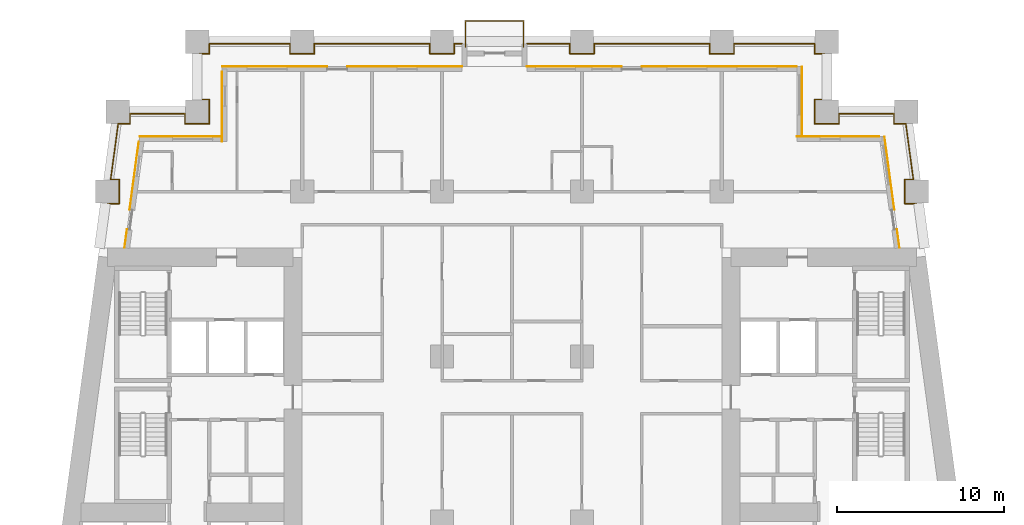
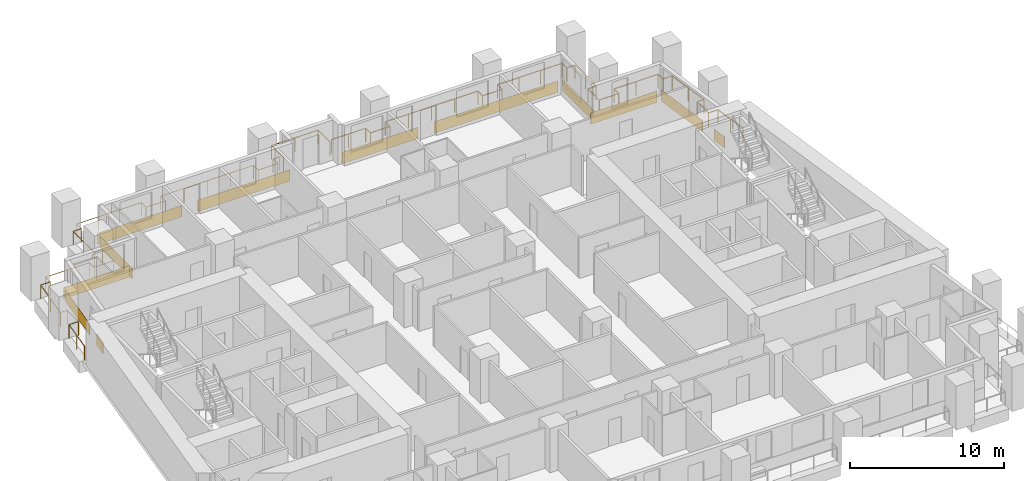
# One storey, part 12 of 13: 12 coverings, 3 railings.
"""IFC4 building model written with IfcOpenShell, lengths in metres."""

from ifc_helpers import new_model, si_unit, direction, frame, origin, origin_2d, place, context, subcontext, project, spatial, rectangle, circle, extrude, material, layer, layer_set, type_object, element, save


model = new_model("IFC4")

# Units and contexts
model_context = context("Model", 3, precision=1e-05, world=origin(), true_north=direction((0.0, 1.0)))
body_context = subcontext(model_context, "Body", "Model", "MODEL_VIEW")
ifc_project = project(units=[si_unit("LENGTHUNIT", "METRE"), si_unit("AREAUNIT", "SQUARE_METRE"), si_unit("VOLUMEUNIT", "CUBIC_METRE"), si_unit("PLANEANGLEUNIT", "RADIAN"), si_unit("MASSUNIT", "GRAM", prefix="KILO")], contexts=[model_context])

# Site, building, storey
site_placement = place(None, origin())
site = spatial("IfcSite", under=ifc_project, at=site_placement, CompositionType="ELEMENT")
building_placement = place(site_placement, origin())
building = spatial("IfcBuilding", under=site, at=building_placement, Name="Candeia Pilgrim Tower and Theatre", CompositionType="ELEMENT")
storey_placement = place(building_placement, frame((0.0, 0.0, 60.0)))
storey = spatial("IfcBuildingStorey", under=building, at=storey_placement, Name="L12", CompositionType="ELEMENT", Elevation=60.0)

# Railings
ifc_material_1 = material(Name="Stainless steel balustrade", Category="steel")
railing_type = type_object("IfcRailingType", Name="G1 loggia guard 1100", PredefinedType="GUARDRAIL", material=ifc_material_1)
railing_1_placement = place(storey_placement, frame((88.758544921875, 132.449951171875, 0.0)))
element("IfcRailing", 1, at=railing_1_placement, inside=storey, type_object=railing_type, Name="Guard L12.2", PredefinedType="GUARDRAIL", context=body_context, shape_type="SweptSolid", body=[
    extrude(circle(Radius=0.02392578125, at=origin_2d()), frame((0.0, 0.0, 1.076171875), z_axis=(0.133439920495, 0.991056904329, 0.0), x_axis=(-0.991056904329, 0.133439920495, 0.0)), (0.0, 0.0, 1.0), 2.643798828125),
    extrude(circle(Radius=0.02392578125, at=origin_2d()), frame((0.352783203125, 2.6201171875, 1.076171875), z_axis=(1.0, 0.0, 0.0), x_axis=(0.0, 1.0, 0.0)), (0.0, 0.0, 1.0), 0.70703125),
    extrude(circle(Radius=0.02392578125, at=origin_2d()), frame((1.059814453125, 2.6201171875, 1.076171875), z_axis=(0.0, 1.0, 0.0), x_axis=(-1.0, 0.0, 0.0)), (0.0, 0.0, 1.0), 1.4599609375),
    extrude(circle(Radius=0.02392578125, at=origin_2d()), frame((1.059814453125, 4.080078125, 1.076171875), z_axis=(-1.0, 0.0, 0.0), x_axis=(0.0, -1.0, 0.0)), (0.0, 0.0, 1.0), 0.510498046875),
    extrude(circle(Radius=0.02392578125, at=origin_2d()), frame((0.54931640625, 4.080078125, 1.076171875), z_axis=(0.133364121373, 0.991067107279, 0.0), x_axis=(-0.991067107279, 0.133364121373, 0.0)), (0.0, 0.0, 1.0), 3.3701171875),
    extrude(circle(Radius=0.02392578125, at=origin_2d()), frame((0.998779296875, 7.420166015625, 1.076171875), z_axis=(1.0, 0.0, 0.0), x_axis=(0.0, 1.0, 0.0)), (0.0, 0.0, 1.0), 0.707275390625),
    extrude(circle(Radius=0.02392578125, at=origin_2d()), frame((1.7060546875, 7.420166015625, 1.076171875), z_axis=(0.0, 1.0, 0.0), x_axis=(-1.0, 0.0, 0.0)), (0.0, 0.0, 1.0), 0.60986328125),
    extrude(circle(Radius=0.02392578125, at=origin_2d()), frame((1.7060546875, 8.030029296875, 1.076171875), z_axis=(1.0, 0.0, 0.0), x_axis=(0.0, 1.0, 0.0)), (0.0, 0.0, 1.0), 3.305419921875),
    extrude(circle(Radius=0.02392578125, at=origin_2d()), frame((5.011474609375, 8.030029296875, 1.076171875), z_axis=(0.0, -1.0, 0.0), x_axis=(1.0, 0.0, 0.0)), (0.0, 0.0, 1.0), 0.60986328125),
    extrude(circle(Radius=0.02392578125, at=origin_2d()), frame((5.011474609375, 7.420166015625, 1.076171875), z_axis=(1.0, 0.0, 0.0), x_axis=(0.0, 1.0, 0.0)), (0.0, 0.0, 1.0), 1.4599609375),
    extrude(circle(Radius=0.02392578125, at=origin_2d()), frame((6.471435546875, 7.420166015625, 1.076171875), z_axis=(0.0, 1.0, 0.0), x_axis=(-1.0, 0.0, 0.0)), (0.0, 0.0, 1.0), 1.4599609375),
    extrude(circle(Radius=0.02392578125, at=origin_2d()), frame((6.471435546875, 8.880126953125, 1.076171875), z_axis=(-1.0, 0.0, 0.0), x_axis=(0.0, -1.0, 0.0)), (0.0, 0.0, 1.0), 0.60986328125),
    extrude(circle(Radius=0.02392578125, at=origin_2d()), frame((5.861572265625, 8.880126953125, 1.076171875), z_axis=(0.0, 1.0, 0.0), x_axis=(-1.0, 0.0, 0.0)), (0.0, 0.0, 1.0), 2.739990234375),
    extrude(circle(Radius=0.02392578125, at=origin_2d()), frame((5.861572265625, 11.6201171875, 1.076171875), z_axis=(1.0, 0.0, 0.0), x_axis=(0.0, 1.0, 0.0)), (0.0, 0.0, 1.0), 0.60986328125),
    extrude(circle(Radius=0.02392578125, at=origin_2d()), frame((6.471435546875, 11.6201171875, 1.076171875), z_axis=(0.0, 1.0, 0.0), x_axis=(-1.0, 0.0, 0.0)), (0.0, 0.0, 1.0), 0.60986328125),
    extrude(circle(Radius=0.02392578125, at=origin_2d()), frame((6.471435546875, 12.22998046875, 1.076171875), z_axis=(1.0, 0.0, 0.0), x_axis=(0.0, 1.0, 0.0)), (0.0, 0.0, 1.0), 4.840087890625),
    extrude(circle(Radius=0.02392578125, at=origin_2d()), frame((11.3115234375, 12.22998046875, 1.076171875), z_axis=(0.0, -1.0, 0.0), x_axis=(1.0, 0.0, 0.0)), (0.0, 0.0, 1.0), 0.60986328125),
    extrude(circle(Radius=0.02392578125, at=origin_2d()), frame((11.3115234375, 11.6201171875, 1.076171875), z_axis=(1.0, 0.0, 0.0), x_axis=(0.0, 1.0, 0.0)), (0.0, 0.0, 1.0), 1.4599609375),
    extrude(circle(Radius=0.02392578125, at=origin_2d()), frame((12.771484375, 11.6201171875, 1.076171875), z_axis=(0.0, 1.0, 0.0), x_axis=(-1.0, 0.0, 0.0)), (0.0, 0.0, 1.0), 0.60986328125),
    extrude(circle(Radius=0.02392578125, at=origin_2d()), frame((12.771484375, 12.22998046875, 1.076171875), z_axis=(1.0, 0.0, 0.0), x_axis=(0.0, 1.0, 0.0)), (0.0, 0.0, 1.0), 6.93994140625),
    extrude(circle(Radius=0.02392578125, at=origin_2d()), frame((19.71142578125, 12.22998046875, 1.076171875), z_axis=(0.0, -1.0, 0.0), x_axis=(1.0, 0.0, 0.0)), (0.0, 0.0, 1.0), 0.60986328125),
    extrude(circle(Radius=0.02392578125, at=origin_2d()), frame((19.71142578125, 11.6201171875, 1.076171875), z_axis=(1.0, 0.0, 0.0), x_axis=(0.0, 1.0, 0.0)), (0.0, 0.0, 1.0), 1.4599609375),
    extrude(circle(Radius=0.02392578125, at=origin_2d()), frame((21.17138671875, 11.6201171875, 1.076171875), z_axis=(0.0, 1.0, 0.0), x_axis=(-1.0, 0.0, 0.0)), (0.0, 0.0, 1.0), 0.60986328125),
    extrude(circle(Radius=0.02392578125, at=origin_2d()), frame((21.17138671875, 12.22998046875, 1.076171875), z_axis=(1.0, 0.0, 0.0), x_axis=(0.0, 1.0, 0.0)), (0.0, 0.0, 1.0), 0.469970703125),
    extrude(circle(Radius=0.02099609375, at=origin_2d()), origin(), (0.0, 0.0, 1.0), 1.052001953125),
    extrude(circle(Radius=0.02099609375, at=origin_2d()), frame((0.17626953125, 1.31005859375, 0.0)), (0.0, 0.0, 1.0), 1.052001953125),
    extrude(circle(Radius=0.02099609375, at=origin_2d()), frame((0.352783203125, 2.6201171875, 0.0)), (0.0, 0.0, 1.0), 1.052001953125),
    extrude(circle(Radius=0.02099609375, at=origin_2d()), frame((1.059814453125, 2.6201171875, 0.0)), (0.0, 0.0, 1.0), 1.052001953125),
    extrude(circle(Radius=0.02099609375, at=origin_2d()), frame((1.059814453125, 4.080078125, 0.0)), (0.0, 0.0, 1.0), 1.052001953125),
    extrude(circle(Radius=0.02099609375, at=origin_2d()), frame((0.54931640625, 4.080078125, 0.0)), (0.0, 0.0, 1.0), 1.052001953125),
    extrude(circle(Radius=0.02099609375, at=origin_2d()), frame((0.77392578125, 5.75, 0.0)), (0.0, 0.0, 1.0), 1.052001953125),
    extrude(circle(Radius=0.02099609375, at=origin_2d()), frame((0.998779296875, 7.420166015625, 0.0)), (0.0, 0.0, 1.0), 1.052001953125),
    extrude(circle(Radius=0.02099609375, at=origin_2d()), frame((1.7060546875, 7.420166015625, 0.0)), (0.0, 0.0, 1.0), 1.052001953125),
    extrude(circle(Radius=0.02099609375, at=origin_2d()), frame((1.7060546875, 8.030029296875, 0.0)), (0.0, 0.0, 1.0), 1.052001953125),
    extrude(circle(Radius=0.02099609375, at=origin_2d()), frame((3.35888671875, 8.030029296875, 0.0)), (0.0, 0.0, 1.0), 1.052001953125),
    extrude(circle(Radius=0.02099609375, at=origin_2d()), frame((5.011474609375, 8.030029296875, 0.0)), (0.0, 0.0, 1.0), 1.052001953125),
    extrude(circle(Radius=0.02099609375, at=origin_2d()), frame((5.011474609375, 7.420166015625, 0.0)), (0.0, 0.0, 1.0), 1.052001953125),
    extrude(circle(Radius=0.02099609375, at=origin_2d()), frame((6.471435546875, 7.420166015625, 0.0)), (0.0, 0.0, 1.0), 1.052001953125),
    extrude(circle(Radius=0.02099609375, at=origin_2d()), frame((6.471435546875, 8.880126953125, 0.0)), (0.0, 0.0, 1.0), 1.052001953125),
    extrude(circle(Radius=0.02099609375, at=origin_2d()), frame((5.861572265625, 8.880126953125, 0.0)), (0.0, 0.0, 1.0), 1.052001953125),
    extrude(circle(Radius=0.02099609375, at=origin_2d()), frame((5.861572265625, 10.25, 0.0)), (0.0, 0.0, 1.0), 1.052001953125),
    extrude(circle(Radius=0.02099609375, at=origin_2d()), frame((5.861572265625, 11.6201171875, 0.0)), (0.0, 0.0, 1.0), 1.052001953125),
    extrude(circle(Radius=0.02099609375, at=origin_2d()), frame((6.471435546875, 11.6201171875, 0.0)), (0.0, 0.0, 1.0), 1.052001953125),
    extrude(circle(Radius=0.02099609375, at=origin_2d()), frame((6.471435546875, 12.22998046875, 0.0)), (0.0, 0.0, 1.0), 1.052001953125),
    extrude(circle(Radius=0.02099609375, at=origin_2d()), frame((8.084716796875, 12.22998046875, 0.0)), (0.0, 0.0, 1.0), 1.052001953125),
    extrude(circle(Radius=0.02099609375, at=origin_2d()), frame((9.6982421875, 12.22998046875, 0.0)), (0.0, 0.0, 1.0), 1.052001953125),
    extrude(circle(Radius=0.02099609375, at=origin_2d()), frame((11.3115234375, 12.22998046875, 0.0)), (0.0, 0.0, 1.0), 1.052001953125),
    extrude(circle(Radius=0.02099609375, at=origin_2d()), frame((11.3115234375, 11.6201171875, 0.0)), (0.0, 0.0, 1.0), 1.052001953125),
    extrude(circle(Radius=0.02099609375, at=origin_2d()), frame((12.771484375, 11.6201171875, 0.0)), (0.0, 0.0, 1.0), 1.052001953125),
    extrude(circle(Radius=0.02099609375, at=origin_2d()), frame((12.771484375, 12.22998046875, 0.0)), (0.0, 0.0, 1.0), 1.052001953125),
    extrude(circle(Radius=0.02099609375, at=origin_2d()), frame((14.50634765625, 12.22998046875, 0.0)), (0.0, 0.0, 1.0), 1.052001953125),
    extrude(circle(Radius=0.02099609375, at=origin_2d()), frame((16.241455078125, 12.22998046875, 0.0)), (0.0, 0.0, 1.0), 1.052001953125),
    extrude(circle(Radius=0.02099609375, at=origin_2d()), frame((17.9765625, 12.22998046875, 0.0)), (0.0, 0.0, 1.0), 1.052001953125),
    extrude(circle(Radius=0.02099609375, at=origin_2d()), frame((19.71142578125, 12.22998046875, 0.0)), (0.0, 0.0, 1.0), 1.052001953125),
    extrude(circle(Radius=0.02099609375, at=origin_2d()), frame((19.71142578125, 11.6201171875, 0.0)), (0.0, 0.0, 1.0), 1.052001953125),
    extrude(circle(Radius=0.02099609375, at=origin_2d()), frame((21.17138671875, 11.6201171875, 0.0)), (0.0, 0.0, 1.0), 1.052001953125),
    extrude(circle(Radius=0.02099609375, at=origin_2d()), frame((21.17138671875, 12.22998046875, 0.0)), (0.0, 0.0, 1.0), 1.052001953125),
    extrude(circle(Radius=0.02099609375, at=origin_2d()), frame((21.641357421875, 12.22998046875, 0.0)), (0.0, 0.0, 1.0), 1.052001953125),
])
railing_2_placement = place(storey_placement, frame((114.300048828125, 144.679931640625, 0.0)))
element("IfcRailing", 2, at=railing_2_placement, inside=storey, type_object=railing_type, Name="Guard L12.3", PredefinedType="GUARDRAIL", context=body_context, shape_type="SweptSolid", body=[
    extrude(circle(Radius=0.02392578125, at=origin_2d()), frame((0.0, 0.0, 1.076171875), z_axis=(1.0, 0.0, 0.0), x_axis=(0.0, 1.0, 0.0)), (0.0, 0.0, 1.0), 2.570068359375),
    extrude(circle(Radius=0.02392578125, at=origin_2d()), frame((2.570068359375, 0.0, 1.076171875), z_axis=(0.0, -1.0, 0.0), x_axis=(1.0, 0.0, 0.0)), (0.0, 0.0, 1.0), 0.60986328125),
    extrude(circle(Radius=0.02392578125, at=origin_2d()), frame((2.570068359375, -0.60986328125, 1.076171875), z_axis=(1.0, 0.0, 0.0), x_axis=(0.0, 1.0, 0.0)), (0.0, 0.0, 1.0), 1.4599609375),
    extrude(circle(Radius=0.02392578125, at=origin_2d()), frame((4.030029296875, -0.60986328125, 1.076171875), z_axis=(0.0, 1.0, 0.0), x_axis=(-1.0, 0.0, 0.0)), (0.0, 0.0, 1.0), 0.60986328125),
    extrude(circle(Radius=0.02392578125, at=origin_2d()), frame((4.030029296875, 0.0, 1.076171875), z_axis=(1.0, 0.0, 0.0), x_axis=(0.0, 1.0, 0.0)), (0.0, 0.0, 1.0), 6.93994140625),
    extrude(circle(Radius=0.02392578125, at=origin_2d()), frame((10.969970703125, 0.0, 1.076171875), z_axis=(0.0, -1.0, 0.0), x_axis=(1.0, 0.0, 0.0)), (0.0, 0.0, 1.0), 0.60986328125),
    extrude(circle(Radius=0.02392578125, at=origin_2d()), frame((10.969970703125, -0.60986328125, 1.076171875), z_axis=(1.0, 0.0, 0.0), x_axis=(0.0, 1.0, 0.0)), (0.0, 0.0, 1.0), 1.4599609375),
    extrude(circle(Radius=0.02392578125, at=origin_2d()), frame((12.429931640625, -0.60986328125, 1.076171875), z_axis=(0.0, 1.0, 0.0), x_axis=(-1.0, 0.0, 0.0)), (0.0, 0.0, 1.0), 0.60986328125),
    extrude(circle(Radius=0.02392578125, at=origin_2d()), frame((12.429931640625, 0.0, 1.076171875), z_axis=(1.0, 0.0, 0.0), x_axis=(0.0, 1.0, 0.0)), (0.0, 0.0, 1.0), 4.840087890625),
    extrude(circle(Radius=0.02392578125, at=origin_2d()), frame((17.27001953125, 0.0, 1.076171875), z_axis=(0.0, -1.0, 0.0), x_axis=(1.0, 0.0, 0.0)), (0.0, 0.0, 1.0), 0.60986328125),
    extrude(circle(Radius=0.02392578125, at=origin_2d()), frame((17.27001953125, -0.60986328125, 1.076171875), z_axis=(1.0, 0.0, 0.0), x_axis=(0.0, 1.0, 0.0)), (0.0, 0.0, 1.0), 0.60986328125),
    extrude(circle(Radius=0.02392578125, at=origin_2d()), frame((17.8798828125, -0.60986328125, 1.076171875), z_axis=(0.0, -1.0, 0.0), x_axis=(1.0, 0.0, 0.0)), (0.0, 0.0, 1.0), 2.739990234375),
    extrude(circle(Radius=0.02392578125, at=origin_2d()), frame((17.8798828125, -3.349853515625, 1.076171875), z_axis=(-1.0, 0.0, 0.0), x_axis=(0.0, -1.0, 0.0)), (0.0, 0.0, 1.0), 0.60986328125),
    extrude(circle(Radius=0.02392578125, at=origin_2d()), frame((17.27001953125, -3.349853515625, 1.076171875), z_axis=(0.0, -1.0, 0.0), x_axis=(1.0, 0.0, 0.0)), (0.0, 0.0, 1.0), 1.4599609375),
    extrude(circle(Radius=0.02392578125, at=origin_2d()), frame((17.27001953125, -4.809814453125, 1.076171875), z_axis=(1.0, 0.0, 0.0), x_axis=(0.0, 1.0, 0.0)), (0.0, 0.0, 1.0), 1.4599609375),
    extrude(circle(Radius=0.02392578125, at=origin_2d()), frame((18.72998046875, -4.809814453125, 1.076171875), z_axis=(0.0, 1.0, 0.0), x_axis=(-1.0, 0.0, 0.0)), (0.0, 0.0, 1.0), 0.60986328125),
    extrude(circle(Radius=0.02392578125, at=origin_2d()), frame((18.72998046875, -4.199951171875, 1.076171875), z_axis=(1.0, 0.0, 0.0), x_axis=(0.0, 1.0, 0.0)), (0.0, 0.0, 1.0), 3.305419921875),
    extrude(circle(Radius=0.02392578125, at=origin_2d()), frame((22.035400390625, -4.199951171875, 1.076171875), z_axis=(0.0, -1.0, 0.0), x_axis=(1.0, 0.0, 0.0)), (0.0, 0.0, 1.0), 0.60986328125),
    extrude(circle(Radius=0.02392578125, at=origin_2d()), frame((22.035400390625, -4.809814453125, 1.076171875), z_axis=(1.0, 0.0, 0.0), x_axis=(0.0, 1.0, 0.0)), (0.0, 0.0, 1.0), 0.70703125),
    extrude(circle(Radius=0.02392578125, at=origin_2d()), frame((22.742431640625, -4.809814453125, 1.076171875), z_axis=(0.133435273035, -0.991057530071, 0.0), x_axis=(0.991057530071, 0.133435273035, 0.0)), (0.0, 0.0, 1.0), 3.3701171875),
    extrude(circle(Radius=0.02392578125, at=origin_2d()), frame((23.192138671875, -8.14990234375, 1.076171875), z_axis=(-1.0, 0.0, 0.0), x_axis=(0.0, -1.0, 0.0)), (0.0, 0.0, 1.0), 0.5107421875),
    extrude(circle(Radius=0.02392578125, at=origin_2d()), frame((22.681396484375, -8.14990234375, 1.076171875), z_axis=(0.0, -1.0, 0.0), x_axis=(1.0, 0.0, 0.0)), (0.0, 0.0, 1.0), 1.4599609375),
    extrude(circle(Radius=0.02392578125, at=origin_2d()), frame((22.681396484375, -9.60986328125, 1.076171875), z_axis=(1.0, 0.0, 0.0), x_axis=(0.0, 1.0, 0.0)), (0.0, 0.0, 1.0), 0.707275390625),
    extrude(circle(Radius=0.02392578125, at=origin_2d()), frame((23.388671875, -9.60986328125, 1.076171875), z_axis=(0.133439920495, -0.991056904329, 0.0), x_axis=(0.991056904329, 0.133439920495, 0.0)), (0.0, 0.0, 1.0), 2.643798828125),
    extrude(circle(Radius=0.02099609375, at=origin_2d()), origin(), (0.0, 0.0, 1.0), 1.052001953125),
    extrude(circle(Radius=0.02099609375, at=origin_2d()), frame((1.28515625, 0.0, 0.0)), (0.0, 0.0, 1.0), 1.052001953125),
    extrude(circle(Radius=0.02099609375, at=origin_2d()), frame((2.570068359375, 0.0, 0.0)), (0.0, 0.0, 1.0), 1.052001953125),
    extrude(circle(Radius=0.02099609375, at=origin_2d()), frame((2.570068359375, -0.60986328125, 0.0)), (0.0, 0.0, 1.0), 1.052001953125),
    extrude(circle(Radius=0.02099609375, at=origin_2d()), frame((4.030029296875, -0.60986328125, 0.0)), (0.0, 0.0, 1.0), 1.052001953125),
    extrude(circle(Radius=0.02099609375, at=origin_2d()), frame((4.030029296875, 0.0, 0.0)), (0.0, 0.0, 1.0), 1.052001953125),
    extrude(circle(Radius=0.02099609375, at=origin_2d()), frame((5.76513671875, 0.0, 0.0)), (0.0, 0.0, 1.0), 1.052001953125),
    extrude(circle(Radius=0.02099609375, at=origin_2d()), frame((7.5, 0.0, 0.0)), (0.0, 0.0, 1.0), 1.052001953125),
    extrude(circle(Radius=0.02099609375, at=origin_2d()), frame((9.23486328125, 0.0, 0.0)), (0.0, 0.0, 1.0), 1.052001953125),
    extrude(circle(Radius=0.02099609375, at=origin_2d()), frame((10.969970703125, 0.0, 0.0)), (0.0, 0.0, 1.0), 1.052001953125),
    extrude(circle(Radius=0.02099609375, at=origin_2d()), frame((10.969970703125, -0.60986328125, 0.0)), (0.0, 0.0, 1.0), 1.052001953125),
    extrude(circle(Radius=0.02099609375, at=origin_2d()), frame((12.429931640625, -0.60986328125, 0.0)), (0.0, 0.0, 1.0), 1.052001953125),
    extrude(circle(Radius=0.02099609375, at=origin_2d()), frame((12.429931640625, 0.0, 0.0)), (0.0, 0.0, 1.0), 1.052001953125),
    extrude(circle(Radius=0.02099609375, at=origin_2d()), frame((14.043212890625, 0.0, 0.0)), (0.0, 0.0, 1.0), 1.052001953125),
    extrude(circle(Radius=0.02099609375, at=origin_2d()), frame((15.65673828125, 0.0, 0.0)), (0.0, 0.0, 1.0), 1.052001953125),
    extrude(circle(Radius=0.02099609375, at=origin_2d()), frame((17.27001953125, 0.0, 0.0)), (0.0, 0.0, 1.0), 1.052001953125),
    extrude(circle(Radius=0.02099609375, at=origin_2d()), frame((17.27001953125, -0.60986328125, 0.0)), (0.0, 0.0, 1.0), 1.052001953125),
    extrude(circle(Radius=0.02099609375, at=origin_2d()), frame((17.8798828125, -0.60986328125, 0.0)), (0.0, 0.0, 1.0), 1.052001953125),
    extrude(circle(Radius=0.02099609375, at=origin_2d()), frame((17.8798828125, -1.97998046875, 0.0)), (0.0, 0.0, 1.0), 1.052001953125),
    extrude(circle(Radius=0.02099609375, at=origin_2d()), frame((17.8798828125, -3.349853515625, 0.0)), (0.0, 0.0, 1.0), 1.052001953125),
    extrude(circle(Radius=0.02099609375, at=origin_2d()), frame((17.27001953125, -3.349853515625, 0.0)), (0.0, 0.0, 1.0), 1.052001953125),
    extrude(circle(Radius=0.02099609375, at=origin_2d()), frame((17.27001953125, -4.809814453125, 0.0)), (0.0, 0.0, 1.0), 1.052001953125),
    extrude(circle(Radius=0.02099609375, at=origin_2d()), frame((18.72998046875, -4.809814453125, 0.0)), (0.0, 0.0, 1.0), 1.052001953125),
    extrude(circle(Radius=0.02099609375, at=origin_2d()), frame((18.72998046875, -4.199951171875, 0.0)), (0.0, 0.0, 1.0), 1.052001953125),
    extrude(circle(Radius=0.02099609375, at=origin_2d()), frame((20.3828125, -4.199951171875, 0.0)), (0.0, 0.0, 1.0), 1.052001953125),
    extrude(circle(Radius=0.02099609375, at=origin_2d()), frame((22.035400390625, -4.199951171875, 0.0)), (0.0, 0.0, 1.0), 1.052001953125),
    extrude(circle(Radius=0.02099609375, at=origin_2d()), frame((22.035400390625, -4.809814453125, 0.0)), (0.0, 0.0, 1.0), 1.052001953125),
    extrude(circle(Radius=0.02099609375, at=origin_2d()), frame((22.742431640625, -4.809814453125, 0.0)), (0.0, 0.0, 1.0), 1.052001953125),
    extrude(circle(Radius=0.02099609375, at=origin_2d()), frame((22.96728515625, -6.47998046875, 0.0)), (0.0, 0.0, 1.0), 1.052001953125),
    extrude(circle(Radius=0.02099609375, at=origin_2d()), frame((23.192138671875, -8.14990234375, 0.0)), (0.0, 0.0, 1.0), 1.052001953125),
    extrude(circle(Radius=0.02099609375, at=origin_2d()), frame((22.681396484375, -8.14990234375, 0.0)), (0.0, 0.0, 1.0), 1.052001953125),
    extrude(circle(Radius=0.02099609375, at=origin_2d()), frame((22.681396484375, -9.60986328125, 0.0)), (0.0, 0.0, 1.0), 1.052001953125),
    extrude(circle(Radius=0.02099609375, at=origin_2d()), frame((23.388671875, -9.60986328125, 0.0)), (0.0, 0.0, 1.0), 1.052001953125),
    extrude(circle(Radius=0.02099609375, at=origin_2d()), frame((23.56494140625, -10.919921875, 0.0)), (0.0, 0.0, 1.0), 1.052001953125),
    extrude(circle(Radius=0.02099609375, at=origin_2d()), frame((23.741455078125, -12.22998046875, 0.0)), (0.0, 0.0, 1.0), 1.052001953125),
])
railing_3_placement = place(storey_placement, frame((110.610107421875, 144.5, 0.0)))
element("IfcRailing", 3, at=railing_3_placement, inside=storey, type_object=railing_type, Name="Balcony guard L12", PredefinedType="GUARDRAIL", context=body_context, shape_type="SweptSolid", body=[
    extrude(circle(Radius=0.02392578125, at=origin_2d()), frame((0.0, 0.0, 1.076171875), z_axis=(0.0, 1.0, 0.0), x_axis=(-1.0, 0.0, 0.0)), (0.0, 0.0, 1.0), 1.5400390625),
    extrude(circle(Radius=0.02392578125, at=origin_2d()), frame((0.0, 1.5400390625, 1.076171875), z_axis=(1.0, 0.0, 0.0), x_axis=(0.0, 1.0, 0.0)), (0.0, 0.0, 1.0), 3.47998046875),
    extrude(circle(Radius=0.02392578125, at=origin_2d()), frame((3.47998046875, 1.5400390625, 1.076171875), z_axis=(0.0, -1.0, 0.0), x_axis=(1.0, 0.0, 0.0)), (0.0, 0.0, 1.0), 1.5400390625),
    extrude(circle(Radius=0.02099609375, at=origin_2d()), origin(), (0.0, 0.0, 1.0), 1.052001953125),
    extrude(circle(Radius=0.02099609375, at=origin_2d()), frame((0.0, 1.5400390625, 0.0)), (0.0, 0.0, 1.0), 1.052001953125),
    extrude(circle(Radius=0.02099609375, at=origin_2d()), frame((1.739990234375, 1.5400390625, 0.0)), (0.0, 0.0, 1.0), 1.052001953125),
    extrude(circle(Radius=0.02099609375, at=origin_2d()), frame((3.47998046875, 1.5400390625, 0.0)), (0.0, 0.0, 1.0), 1.052001953125),
    extrude(circle(Radius=0.02099609375, at=origin_2d()), frame((3.47998046875, 0.0, 0.0)), (0.0, 0.0, 1.0), 1.052001953125),
])

# Coverings
ifc_material_2 = material(Name="Glazed ceramic tile deep red")
ifc_layer = layer(ifc_material_2, 0.02001953125)
ifc_layer_set = layer_set([ifc_layer], Name="Glazed ceramic tile deep red")
covering_type = type_object("IfcCoveringType", Name="Glazed ceramic tile deep red", PredefinedType="CLADDING", material=ifc_layer_set)
covering_1_placement = place(storey_placement, frame((136.588623046875, 132.97412109375, 0.0), z_axis=(0.0, 0.0, 1.0), x_axis=(-0.133412012145, 0.991060661622, 0.0)))
element("IfcCovering", 4, at=covering_1_placement, inside=storey, type_object=covering_type, Name="Tile cladding deep red L12", PredefinedType="CLADDING", context=body_context, shape_type="SweptSolid", body=[
    extrude(rectangle(XDim=1.115234375, YDim=0.02001953125, at=origin_2d()), origin(), (0.0, 0.0, 1.0), 0.89990234375),
])
covering_2_placement = place(storey_placement, frame((136.058837890625, 136.90869140625, 0.0), z_axis=(0.0, 0.0, 1.0), x_axis=(-0.133412012145, 0.991060661622, 0.0)))
element("IfcCovering", 5, at=covering_2_placement, inside=storey, type_object=covering_type, Name="Tile cladding deep red L12", PredefinedType="CLADDING", context=body_context, shape_type="SweptSolid", body=[
    extrude(rectangle(XDim=4.4248046875, YDim=0.02001953125, at=origin_2d()), origin(), (0.0, 0.0, 1.0), 0.89990234375),
])
covering_3_placement = place(storey_placement, frame((132.976318359375, 139.110107421875, 0.0), z_axis=(0.0, 0.0, 1.0), x_axis=(-1.0, 0.0, 0.0)))
element("IfcCovering", 6, at=covering_3_placement, inside=storey, type_object=covering_type, Name="Tile cladding deep red L12", PredefinedType="CLADDING", context=body_context, shape_type="SweptSolid", body=[
    extrude(rectangle(XDim=4.95263671875, YDim=0.02001953125, at=origin_2d()), origin(), (0.0, 0.0, 1.0), 0.89990234375),
])
covering_4_placement = place(storey_placement, frame((130.81005859375, 141.2099609375, 0.0), z_axis=(0.0, 0.0, 1.0), x_axis=(0.0, 1.0, 0.0)))
element("IfcCovering", 7, at=covering_4_placement, inside=storey, type_object=covering_type, Name="Tile cladding deep red L12", PredefinedType="CLADDING", context=body_context, shape_type="SweptSolid", body=[
    extrude(rectangle(XDim=4.179931640625, YDim=0.02001953125, at=origin_2d()), origin(), (0.0, 0.0, 1.0), 0.89990234375),
])
covering_5_placement = place(storey_placement, frame((125.840087890625, 143.31005859375, 0.0), z_axis=(0.0, 0.0, 1.0), x_axis=(-1.0, 0.0, 0.0)))
element("IfcCovering", 8, at=covering_5_placement, inside=storey, type_object=covering_type, Name="Tile cladding deep red L12", PredefinedType="CLADDING", context=body_context, shape_type="SweptSolid", body=[
    extrude(rectangle(XDim=9.280029296875, YDim=0.02001953125, at=origin_2d()), origin(), (0.0, 0.0, 1.0), 0.89990234375),
])
covering_6_placement = place(storey_placement, frame((117.14990234375, 143.31005859375, 0.0), z_axis=(0.0, 0.0, 1.0), x_axis=(-1.0, 0.0, 0.0)))
element("IfcCovering", 9, at=covering_6_placement, inside=storey, type_object=covering_type, Name="Tile cladding deep red L12", PredefinedType="CLADDING", context=body_context, shape_type="SweptSolid", body=[
    extrude(rectangle(XDim=5.699951171875, YDim=0.02001953125, at=origin_2d()), origin(), (0.0, 0.0, 1.0), 0.89990234375),
])
covering_7_placement = place(storey_placement, frame((106.949951171875, 143.31005859375, 0.0), z_axis=(0.0, 0.0, 1.0), x_axis=(-1.0, 0.0, 0.0)))
element("IfcCovering", 10, at=covering_7_placement, inside=storey, type_object=covering_type, Name="Tile cladding deep red L12", PredefinedType="CLADDING", context=body_context, shape_type="SweptSolid", body=[
    extrude(rectangle(XDim=6.89990234375, YDim=0.02001953125, at=origin_2d()), origin(), (0.0, 0.0, 1.0), 0.89990234375),
])
covering_8_placement = place(storey_placement, frame((99.14990234375, 143.31005859375, 0.0), z_axis=(0.0, 0.0, 1.0), x_axis=(-1.0, 0.0, 0.0)))
element("IfcCovering", 11, at=covering_8_placement, inside=storey, type_object=covering_type, Name="Tile cladding deep red L12", PredefinedType="CLADDING", context=body_context, shape_type="SweptSolid", body=[
    extrude(rectangle(XDim=6.300048828125, YDim=0.02001953125, at=origin_2d()), origin(), (0.0, 0.0, 1.0), 0.89990234375),
])
covering_9_placement = place(storey_placement, frame((95.989990234375, 140.889892578125, 0.0), z_axis=(0.0, 0.0, 1.0), x_axis=(0.0, -1.0, 0.0)))
element("IfcCovering", 12, at=covering_9_placement, inside=storey, type_object=covering_type, Name="Tile cladding deep red L12", PredefinedType="CLADDING", context=body_context, shape_type="SweptSolid", body=[
    extrude(rectangle(XDim=4.179931640625, YDim=0.02001953125, at=origin_2d()), origin(), (0.0, 0.0, 1.0), 0.89990234375),
])
covering_10_placement = place(storey_placement, frame((93.51318359375, 139.110107421875, 0.0), z_axis=(0.0, 0.0, 1.0), x_axis=(-1.0, 0.0, 0.0)))
element("IfcCovering", 13, at=covering_10_placement, inside=storey, type_object=covering_type, Name="Tile cladding deep red L12", PredefinedType="CLADDING", context=body_context, shape_type="SweptSolid", body=[
    extrude(rectangle(XDim=4.933837890625, YDim=0.02001953125, at=origin_2d()), origin(), (0.0, 0.0, 1.0), 0.89990234375),
])
covering_11_placement = place(storey_placement, frame((90.720947265625, 136.759521484375, 0.0), z_axis=(0.0, 0.0, 1.0), x_axis=(-0.133412012145, -0.991060661622, 0.0)))
element("IfcCovering", 14, at=covering_11_placement, inside=storey, type_object=covering_type, Name="Tile cladding deep red L12", PredefinedType="CLADDING", context=body_context, shape_type="SweptSolid", body=[
    extrude(rectangle(XDim=4.123779296875, YDim=0.02001953125, at=origin_2d()), origin(), (0.0, 0.0, 1.0), 0.89990234375),
])
covering_12_placement = place(storey_placement, frame((90.21142578125, 132.97412109375, 0.0), z_axis=(0.0, 0.0, 1.0), x_axis=(-0.133412012145, -0.991060661622, 0.0)))
element("IfcCovering", 15, at=covering_12_placement, inside=storey, type_object=covering_type, Name="Tile cladding deep red L12", PredefinedType="CLADDING", context=body_context, shape_type="SweptSolid", body=[
    extrude(rectangle(XDim=1.115234375, YDim=0.02001953125, at=origin_2d()), origin(), (0.0, 0.0, 1.0), 0.89990234375),
])

save(model, "model.ifc")
